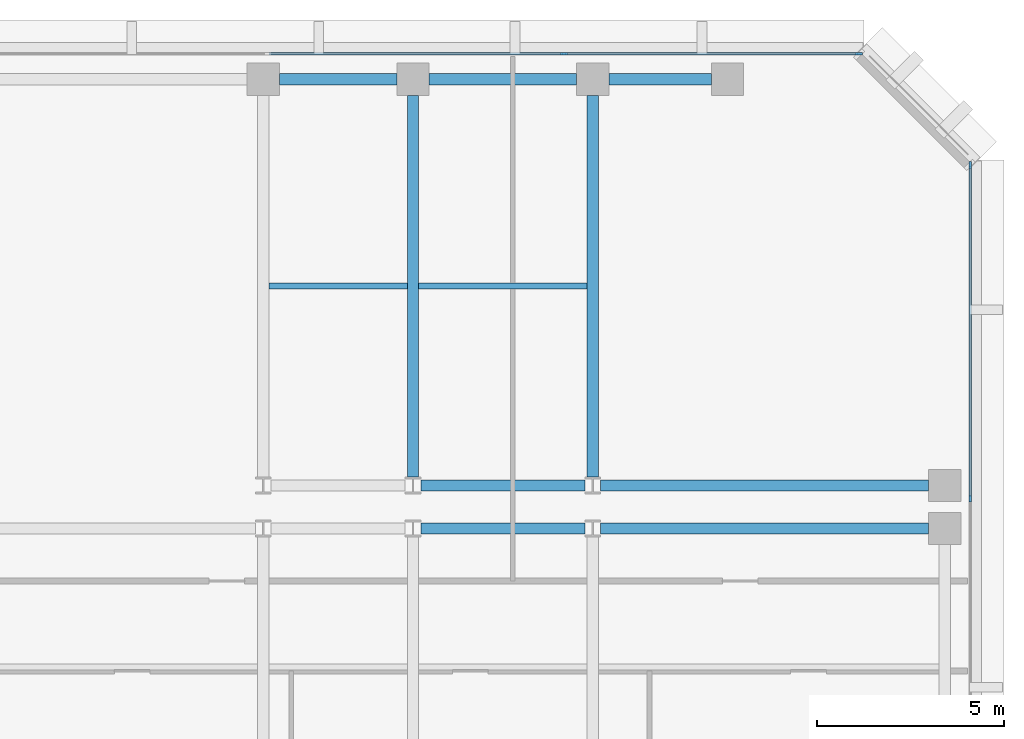
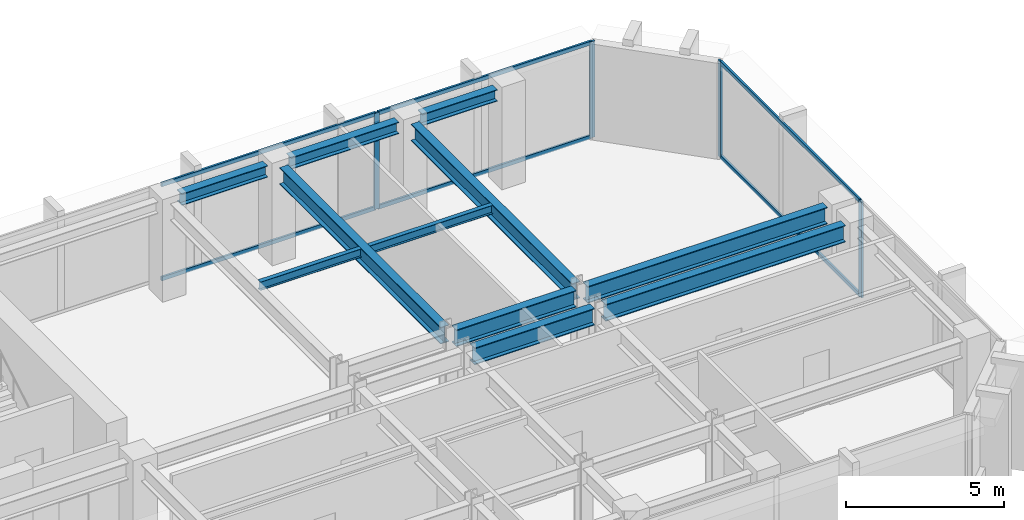
# One storey, part 5 of 11: 11 beams, 10 members, 2 elements without a shape of their own.
"""IFC4 building model written with IfcOpenShell, lengths in metres."""

from ifc_helpers import new_model, si_unit, direction, frame, origin, origin_2d, place, context, subcontext, project, spatial, rectangle, i_section, extrude, material, layer, layer_set, material_profile, profile_set, type_object, element, aggregate, save


model = new_model("IFC4")

# Units and contexts
model_context = context("Model", 3, precision=1e-05, world=origin(), true_north=direction((0.0, 1.0)))
body_context = subcontext(model_context, "Body", "Model", "MODEL_VIEW")
ifc_project = project(units=[si_unit("LENGTHUNIT", "METRE"), si_unit("AREAUNIT", "SQUARE_METRE"), si_unit("VOLUMEUNIT", "CUBIC_METRE"), si_unit("PLANEANGLEUNIT", "RADIAN"), si_unit("MASSUNIT", "GRAM", prefix="KILO")], contexts=[model_context])

# Site, building, storey
site_placement = place(None, origin())
site = spatial("IfcSite", under=ifc_project, at=site_placement, CompositionType="ELEMENT")
building_placement = place(site_placement, origin())
building = spatial("IfcBuilding", under=site, at=building_placement, Name="Kefirva Bronze Tower", CompositionType="ELEMENT")
storey_placement = place(building_placement, frame((0.0, 0.0, 142.889892578125)))
storey = spatial("IfcBuildingStorey", under=building, at=storey_placement, Name="L34", CompositionType="ELEMENT", Elevation=142.889892578125)

# Curtain wall, members
ifc_material_1 = material(Name="Bronze anodised aluminium", Category="aluminium")
ifc_layer = layer(ifc_material_1, 0.199951171875, Name="Bronze anodised aluminium")
ifc_layer_set = layer_set([ifc_layer], Name="Bronze anodised aluminium")
curtain_wall_type = type_object("IfcCurtainWallType", Name="Unitised Bronze Ribbon Curtain Wall Zone 2", PredefinedType="USERDEFINED", material=ifc_layer_set)
curtain_wall_1_placement = place(storey_placement, origin())
curtain_wall_1 = element("IfcCurtainWall", 1, at=curtain_wall_1_placement, inside=storey, type_object=curtain_wall_type, Name="L34 Curtain Wall 4", ObjectType="UNITISED CURTAIN WALL", PredefinedType="USERDEFINED")
ifc_material_profile_1 = material_profile(ifc_material_1, rectangle(XDim=0.074951171875, YDim=0.179931640625, at=origin_2d()), Name="ALU 75x180")
ifc_profile_set_1 = profile_set([ifc_material_profile_1], Name="Bronze anodised aluminium")
member_type_1 = type_object("IfcMemberType", Name="Bronze Mullion 75x180", PredefinedType="MULLION", material=ifc_profile_set_1)
member_1_placement = place(storey_placement, frame((50.080078125, 34.0, 0.0), z_axis=(0.0, 0.0, 1.0), x_axis=(-1.0, 0.0, 0.0)))
member_1 = element("IfcMember", 2, at=member_1_placement, type_object=member_type_1, Name="CW-02 mullion 2", PredefinedType="MULLION", context=body_context, shape_type="SweptSolid", body=[
    extrude(rectangle(XDim=0.074951171875, YDim=0.179931640625, at=origin_2d()), origin(), (0.0, 0.0, 1.0), 3.710205078125),
])
member_2_placement = place(storey_placement, frame((50.080078125, 42.907470703125, 0.0), z_axis=(0.0, 0.0, 1.0), x_axis=(-1.0, 0.0, 0.0)))
member_2 = element("IfcMember", 3, at=member_2_placement, type_object=member_type_1, Name="CW-02 mullion 3", PredefinedType="MULLION", context=body_context, shape_type="SweptSolid", body=[
    extrude(rectangle(XDim=0.074951171875, YDim=0.179931640625, at=origin_2d()), origin(), (0.0, 0.0, 1.0), 3.710205078125),
])

curtain_wall_2_placement = place(storey_placement, origin())
curtain_wall_2 = element("IfcCurtainWall", 4, at=curtain_wall_2_placement, inside=storey, type_object=curtain_wall_type, Name="L34 Curtain Wall 5", ObjectType="UNITISED CURTAIN WALL", PredefinedType="USERDEFINED")
member_3_placement = place(storey_placement, frame((47.107421875, 45.8798828125, 0.0), z_axis=(0.0, 0.0, 1.0), x_axis=(0.0, -1.0, 0.0)))
member_3 = element("IfcMember", 5, at=member_3_placement, type_object=member_type_1, Name="CW-02 mullion 1", PredefinedType="MULLION", context=body_context, shape_type="SweptSolid", body=[
    extrude(rectangle(XDim=0.074951171875, YDim=0.179931640625, at=origin_2d()), origin(), (0.0, 0.0, 1.0), 3.710205078125),
])
member_4_placement = place(storey_placement, frame((39.231689453125, 45.8798828125, 0.0), z_axis=(0.0, 0.0, 1.0), x_axis=(0.0, -1.0, 0.0)))
member_4 = element("IfcMember", 6, at=member_4_placement, type_object=member_type_1, Name="CW-02 mullion 2", PredefinedType="MULLION", context=body_context, shape_type="SweptSolid", body=[
    extrude(rectangle(XDim=0.074951171875, YDim=0.179931640625, at=origin_2d()), origin(), (0.0, 0.0, 1.0), 3.710205078125),
])

# Member
ifc_material_profile_2 = material_profile(ifc_material_1, rectangle(XDim=0.074951171875, YDim=0.14990234375, at=origin_2d()), Name="ALU 75x150")
ifc_profile_set_2 = profile_set([ifc_material_profile_2], Name="Bronze anodised aluminium")
member_type_2 = type_object("IfcMemberType", Name="Bronze Transom 75x150", PredefinedType="USERDEFINED", material=ifc_profile_set_2)
member_5_placement = place(storey_placement, frame((50.080078125, 34.03759765625, 0.03759765625), z_axis=(0.0, 1.0, 0.0), x_axis=(-1.0, 0.0, 0.0)))
member_5 = element("IfcMember", 7, at=member_5_placement, type_object=member_type_2, Name="CW-02 transom 2.1", ObjectType="TRANSOM", PredefinedType="USERDEFINED", context=body_context, shape_type="SweptSolid", body=[
    extrude(rectangle(XDim=0.074951171875, YDim=0.14990234375, at=origin_2d()), origin(), (0.0, 0.0, 1.0), 8.83251953125),
])

member_6_placement = place(storey_placement, frame((50.080078125, 34.03759765625, 3.672607421875), z_axis=(0.0, 1.0, 0.0), x_axis=(-1.0, 0.0, 0.0)))
member_6 = element("IfcMember", 8, at=member_6_placement, type_object=member_type_2, Name="CW-02 transom 2.2", ObjectType="TRANSOM", PredefinedType="USERDEFINED", context=body_context, shape_type="SweptSolid", body=[
    extrude(rectangle(XDim=0.074951171875, YDim=0.14990234375, at=origin_2d()), origin(), (0.0, 0.0, 1.0), 8.83251953125),
])

aggregate(curtain_wall_1, [member_1, member_2, member_5, member_6])

member_7_placement = place(storey_placement, frame((47.070068359375, 45.8798828125, 0.03759765625), z_axis=(-1.0, 0.0, 0.0), x_axis=(0.0, -1.0, 0.0)))
member_7 = element("IfcMember", 9, at=member_7_placement, type_object=member_type_2, Name="CW-02 transom 1.1", ObjectType="TRANSOM", PredefinedType="USERDEFINED", context=body_context, shape_type="SweptSolid", body=[
    extrude(rectangle(XDim=0.074951171875, YDim=0.14990234375, at=origin_2d()), origin(), (0.0, 0.0, 1.0), 7.80078125),
])

member_8_placement = place(storey_placement, frame((47.070068359375, 45.8798828125, 3.672607421875), z_axis=(-1.0, 0.0, 0.0), x_axis=(0.0, -1.0, 0.0)))
member_8 = element("IfcMember", 10, at=member_8_placement, type_object=member_type_2, Name="CW-02 transom 1.2", ObjectType="TRANSOM", PredefinedType="USERDEFINED", context=body_context, shape_type="SweptSolid", body=[
    extrude(rectangle(XDim=0.074951171875, YDim=0.14990234375, at=origin_2d()), origin(), (0.0, 0.0, 1.0), 7.80078125),
])

member_9_placement = place(storey_placement, frame((39.194091796875, 45.8798828125, 0.03759765625), z_axis=(-1.0, 0.0, 0.0), x_axis=(0.0, -1.0, 0.0)))
member_9 = element("IfcMember", 11, at=member_9_placement, type_object=member_type_2, Name="CW-02 transom 2.1", ObjectType="TRANSOM", PredefinedType="USERDEFINED", context=body_context, shape_type="SweptSolid", body=[
    extrude(rectangle(XDim=0.074951171875, YDim=0.14990234375, at=origin_2d()), origin(), (0.0, 0.0, 1.0), 7.83837890625),
])

member_10_placement = place(storey_placement, frame((39.194091796875, 45.8798828125, 3.672607421875), z_axis=(-1.0, 0.0, 0.0), x_axis=(0.0, -1.0, 0.0)))
member_10 = element("IfcMember", 12, at=member_10_placement, type_object=member_type_2, Name="CW-02 transom 2.2", ObjectType="TRANSOM", PredefinedType="USERDEFINED", context=body_context, shape_type="SweptSolid", body=[
    extrude(rectangle(XDim=0.074951171875, YDim=0.14990234375, at=origin_2d()), origin(), (0.0, 0.0, 1.0), 7.83837890625),
])

aggregate(curtain_wall_2, [member_3, member_4, member_7, member_8, member_9, member_10])

# Beams
ifc_material_2 = material(Name="Steel S355", Category="steel")
ifc_material_profile_3 = material_profile(ifc_material_2, i_section(OverallWidth=0.159912109375, OverallDepth=0.330078125, WebThickness=0.007568359375, FlangeThickness=0.011474609375, at=origin_2d()), Name="IPE 330")
ifc_profile_set_3 = profile_set([ifc_material_profile_3], Name="Steel S355")
beam_type_1 = type_object("IfcBeamType", Name="Steel Floor Joist IPE 330", PredefinedType="JOIST", material=ifc_profile_set_3)
beam_1_placement = place(storey_placement, frame((31.35009765625, 39.673583984375, 3.545166015625), z_axis=(1.0, 0.0, 0.0), x_axis=(0.0, 1.0, 0.0)))
element("IfcBeam", 13, at=beam_1_placement, inside=storey, type_object=beam_type_1, Name="L34 JST-L34-31-396", PredefinedType="JOIST", context=body_context, shape_type="SweptSolid", body=[
    extrude(i_section(OverallWidth=0.159912109375, OverallDepth=0.330078125, WebThickness=0.007568359375, FlangeThickness=0.011474609375, at=origin_2d()), origin(), (0.0, 0.0, 1.0), 3.699951171875),
])
beam_2_placement = place(storey_placement, frame((35.35009765625, 39.673583984375, 3.545166015625), z_axis=(1.0, 0.0, 0.0), x_axis=(0.0, 1.0, 0.0)))
element("IfcBeam", 14, at=beam_2_placement, inside=storey, type_object=beam_type_1, Name="L34 JST-L34-35-396", PredefinedType="JOIST", context=body_context, shape_type="SweptSolid", body=[
    extrude(i_section(OverallWidth=0.159912109375, OverallDepth=0.330078125, WebThickness=0.007568359375, FlangeThickness=0.011474609375, at=origin_2d()), origin(), (0.0, 0.0, 1.0), 4.5),
])
ifc_material_profile_4 = material_profile(ifc_material_2, i_section(OverallWidth=0.300048828125, OverallDepth=0.64990234375, WebThickness=0.01611328125, FlangeThickness=0.031005859375, at=origin_2d()), Name="HEB 650")
ifc_profile_set_4 = profile_set([ifc_material_profile_4], Name="Steel S355")
beam_type_2 = type_object("IfcBeamType", Name="Steel Girder HEB 650", PredefinedType="USERDEFINED", material=ifc_profile_set_4)
beam_3_placement = place(storey_placement, frame((35.408935546875, 33.199951171875, 3.385009765625), z_axis=(1.0, 0.0, 0.0), x_axis=(0.0, 1.0, 0.0)))
element("IfcBeam", 15, at=beam_3_placement, inside=storey, type_object=beam_type_2, Name="L34 BM-L34-EW-35-332", ObjectType="GIRDER", PredefinedType="USERDEFINED", context=body_context, shape_type="SweptSolid", body=[
    extrude(i_section(OverallWidth=0.300048828125, OverallDepth=0.64990234375, WebThickness=0.01611328125, FlangeThickness=0.031005859375, at=origin_2d()), origin(), (0.0, 0.0, 1.0), 4.382080078125),
])
beam_4_placement = place(storey_placement, frame((40.208984375, 33.199951171875, 3.385009765625), z_axis=(1.0, 0.0, 0.0), x_axis=(0.0, 1.0, 0.0)))
element("IfcBeam", 16, at=beam_4_placement, inside=storey, type_object=beam_type_2, Name="L34 BM-L34-EW-40-332", ObjectType="GIRDER", PredefinedType="USERDEFINED", context=body_context, shape_type="SweptSolid", body=[
    extrude(i_section(OverallWidth=0.300048828125, OverallDepth=0.64990234375, WebThickness=0.01611328125, FlangeThickness=0.031005859375, at=origin_2d()), origin(), (0.0, 0.0, 1.0), 8.760986328125),
])
beam_5_placement = place(storey_placement, frame((35.408935546875, 34.35009765625, 3.385009765625), z_axis=(1.0, 0.0, 0.0), x_axis=(0.0, 1.0, 0.0)))
element("IfcBeam", 17, at=beam_5_placement, inside=storey, type_object=beam_type_2, Name="L34 BM-L34-EW-35-344", ObjectType="GIRDER", PredefinedType="USERDEFINED", context=body_context, shape_type="SweptSolid", body=[
    extrude(i_section(OverallWidth=0.300048828125, OverallDepth=0.64990234375, WebThickness=0.01611328125, FlangeThickness=0.031005859375, at=origin_2d()), origin(), (0.0, 0.0, 1.0), 4.382080078125),
])
beam_6_placement = place(storey_placement, frame((40.208984375, 34.35009765625, 3.385009765625), z_axis=(1.0, 0.0, 0.0), x_axis=(0.0, 1.0, 0.0)))
element("IfcBeam", 18, at=beam_6_placement, inside=storey, type_object=beam_type_2, Name="L34 BM-L34-EW-40-344", ObjectType="GIRDER", PredefinedType="USERDEFINED", context=body_context, shape_type="SweptSolid", body=[
    extrude(i_section(OverallWidth=0.300048828125, OverallDepth=0.64990234375, WebThickness=0.01611328125, FlangeThickness=0.031005859375, at=origin_2d()), origin(), (0.0, 0.0, 1.0), 8.760986328125),
])
for number, where, z_axis, x_axis, name in (
    (19, (35.199951171875, 34.577392578125, 3.385009765625), (0.0, 1.0, 0.0), (-1.0, 0.0, 0.0), "L34 BM-L34-NS-352-34"),
    (20, (40.0, 34.577392578125, 3.385009765625), (0.0, 1.0, 0.0), (-1.0, 0.0, 0.0), "L34 BM-L34-NS-400-34"),
):
    element("IfcBeam", number, at=place(storey_placement, frame(where, z_axis=z_axis, x_axis=x_axis)), inside=storey, type_object=beam_type_2, Name=name, ObjectType="GIRDER", PredefinedType="USERDEFINED", context=body_context, shape_type="SweptSolid", body=[
        extrude(i_section(OverallWidth=0.300048828125, OverallDepth=0.64990234375, WebThickness=0.01611328125, FlangeThickness=0.031005859375, at=origin_2d()), origin(), (0.0, 0.0, 1.0), 10.192626953125),
    ])
ifc_material_profile_5 = material_profile(ifc_material_2, i_section(OverallWidth=0.300048828125, OverallDepth=0.449951171875, WebThickness=0.013916015625, FlangeThickness=0.02587890625, at=origin_2d()), Name="HEB 450")
ifc_profile_set_5 = profile_set([ifc_material_profile_5], Name="Steel S355")
beam_type_3 = type_object("IfcBeamType", Name="Steel Spandrel HEB 450 Ext", PredefinedType="SPANDREL", material=ifc_profile_set_5)
beam_7_placement = place(storey_placement, frame((31.6298828125, 45.199951171875, 3.485107421875), z_axis=(1.0, 0.0, 0.0), x_axis=(0.0, 1.0, 0.0)))
element("IfcBeam", 21, at=beam_7_placement, inside=storey, type_object=beam_type_3, Name="L34 BM-L34-EW-31-452", PredefinedType="SPANDREL", context=body_context, shape_type="SweptSolid", body=[
    extrude(i_section(OverallWidth=0.300048828125, OverallDepth=0.449951171875, WebThickness=0.013916015625, FlangeThickness=0.02587890625, at=origin_2d()), origin(), (0.0, 0.0, 1.0), 3.14013671875),
])
beam_8_placement = place(storey_placement, frame((35.6298828125, 45.199951171875, 3.485107421875), z_axis=(1.0, 0.0, 0.0), x_axis=(0.0, 1.0, 0.0)))
element("IfcBeam", 22, at=beam_8_placement, inside=storey, type_object=beam_type_3, Name="L34 BM-L34-EW-35-452", PredefinedType="SPANDREL", context=body_context, shape_type="SweptSolid", body=[
    extrude(i_section(OverallWidth=0.300048828125, OverallDepth=0.449951171875, WebThickness=0.013916015625, FlangeThickness=0.02587890625, at=origin_2d()), origin(), (0.0, 0.0, 1.0), 3.940185546875),
])
beam_9_placement = place(storey_placement, frame((40.429931640625, 45.199951171875, 3.485107421875), z_axis=(1.0, 0.0, 0.0), x_axis=(0.0, 1.0, 0.0)))
element("IfcBeam", 23, at=beam_9_placement, inside=storey, type_object=beam_type_3, Name="L34 BM-L34-EW-40-452", PredefinedType="SPANDREL", context=body_context, shape_type="SweptSolid", body=[
    extrude(i_section(OverallWidth=0.300048828125, OverallDepth=0.449951171875, WebThickness=0.013916015625, FlangeThickness=0.02587890625, at=origin_2d()), origin(), (0.0, 0.0, 1.0), 2.739990234375),
])

save(model, "model.ifc")
